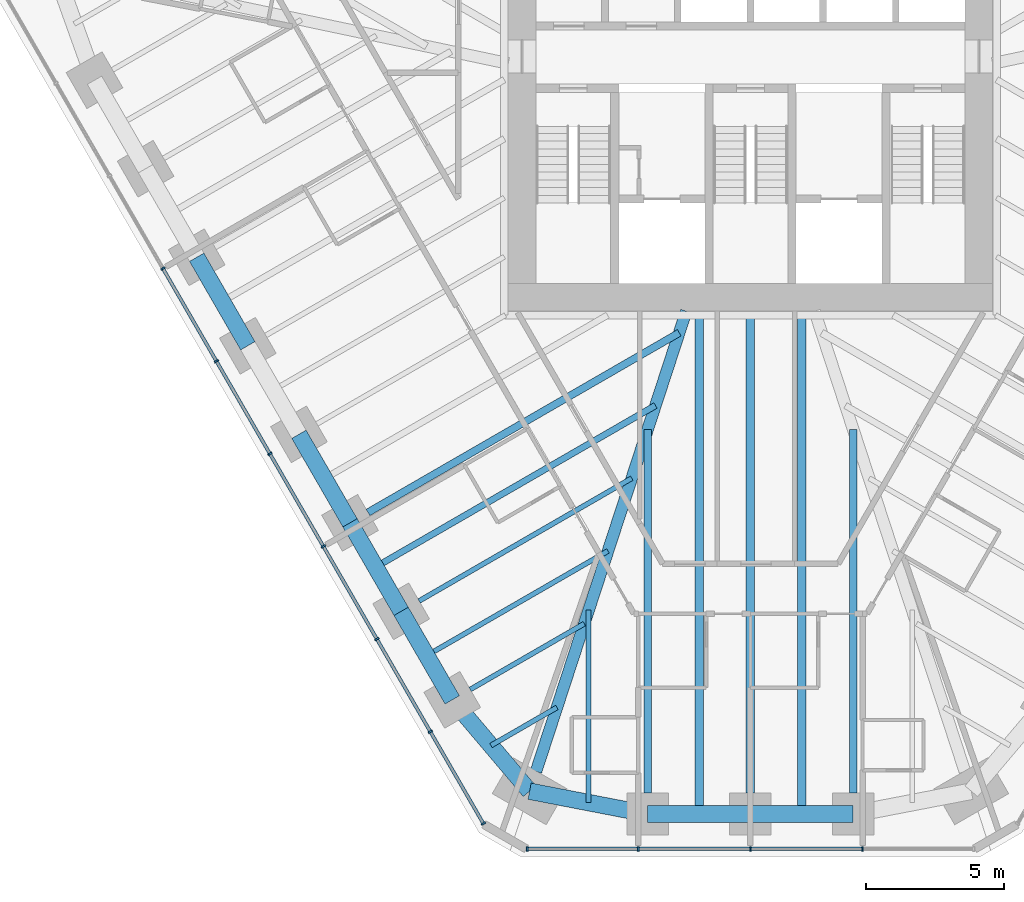
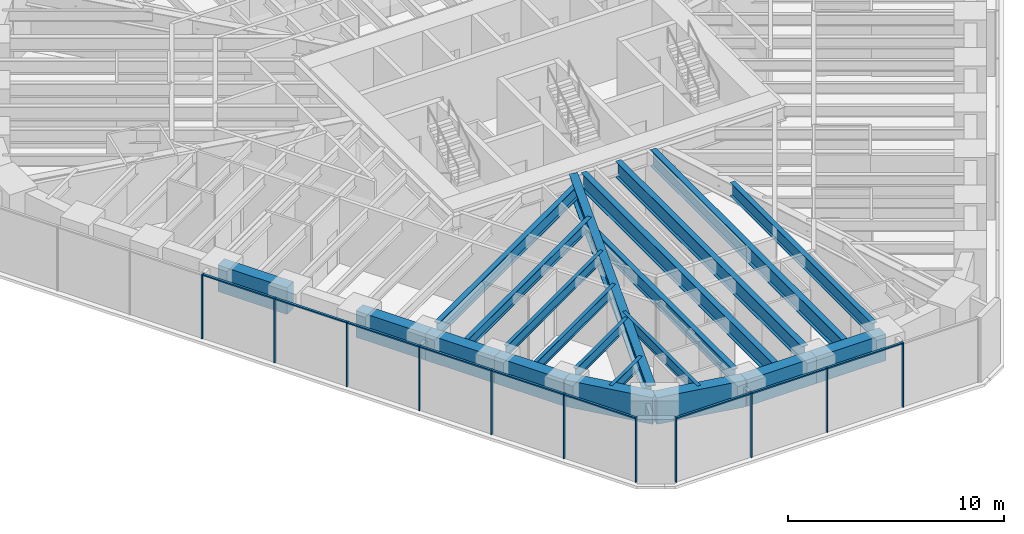
# One storey, part 2 of 17: 21 beams, 20 members, 2 elements without a shape of their own.
"""IFC4 building model written with IfcOpenShell, lengths in metres."""

from ifc_helpers import new_model, si_unit, direction, frame, origin, origin_2d, place, context, subcontext, project, spatial, rectangle, i_section, extrude, material, material_profile, profile_set, type_object, element, aggregate, save


model = new_model("IFC4")

# Units and contexts
model_context = context("Model", 3, precision=1e-05, world=origin(), true_north=direction((0.0, 1.0)))
body_context = subcontext(model_context, "Body", "Model", "MODEL_VIEW")
ifc_project = project(units=[si_unit("LENGTHUNIT", "METRE"), si_unit("AREAUNIT", "SQUARE_METRE"), si_unit("VOLUMEUNIT", "CUBIC_METRE"), si_unit("PLANEANGLEUNIT", "RADIAN"), si_unit("MASSUNIT", "GRAM", prefix="KILO")], contexts=[model_context])

# Site, building, storey
site_placement = place(None, origin())
site = spatial("IfcSite", under=ifc_project, at=site_placement, CompositionType="ELEMENT")
building_placement = place(site_placement, origin())
building = spatial("IfcBuilding", under=site, at=building_placement, Name="Sandreach Pilgrim Tower", CompositionType="ELEMENT")
storey_placement = place(building_placement, frame((0.0, 0.0, 217.39990234375)))
storey = spatial("IfcBuildingStorey", under=building, at=storey_placement, Name="L54", CompositionType="ELEMENT", Elevation=217.39990234375)

# Curtain wall, members
ifc_material_1 = material(Name="Aluminium framed curtain wall", Category="aluminium")
curtain_wall_type = type_object("IfcCurtainWallType", Name="Upper hotel tower curtain wall", PredefinedType="NOTDEFINED", material=ifc_material_1)
curtain_wall_1_placement = place(storey_placement, origin())
curtain_wall_1 = element("IfcCurtainWall", 1, at=curtain_wall_1_placement, inside=storey, type_object=curtain_wall_type, Name="CW-3 L54 S", PredefinedType="NOTDEFINED")
ifc_material_2 = material(Name="Aluminium extrusion", Category="aluminium")
ifc_material_profile_1 = material_profile(ifc_material_2, rectangle(XDim=0.06494140625, YDim=0.159912109375, at=origin_2d()), Name="CW-3M 65X160")
ifc_profile_set_1 = profile_set([ifc_material_profile_1], Name="Aluminium extrusion")
member_type_1 = type_object("IfcMemberType", Name="CW-3 mullion", PredefinedType="MULLION", material=ifc_profile_set_1)
member_1_placement = place(storey_placement, frame((4.048583984375, -26.525146484375, 0.0), z_axis=(0.0, 0.0, 1.0), x_axis=(-1.0, 0.0, 0.0)))
member_1 = element("IfcMember", 2, at=member_1_placement, type_object=member_type_1, Name="CW-3 mullion 2", PredefinedType="MULLION", context=body_context, shape_type="SweptSolid", body=[
    extrude(rectangle(XDim=0.06494140625, YDim=0.159912109375, at=origin_2d()), origin(), (0.0, 0.0, 1.0), 3.64013671875),
])
member_2_placement = place(storey_placement, frame((0.0, -26.525146484375, 0.0), z_axis=(0.0, 0.0, 1.0), x_axis=(-1.0, 0.0, 0.0)))
member_2 = element("IfcMember", 3, at=member_2_placement, type_object=member_type_1, Name="CW-3 mullion 3", PredefinedType="MULLION", context=body_context, shape_type="SweptSolid", body=[
    extrude(rectangle(XDim=0.06494140625, YDim=0.159912109375, at=origin_2d()), origin(), (0.0, 0.0, 1.0), 3.64013671875),
])
member_3_placement = place(storey_placement, frame((-4.048583984375, -26.525146484375, 0.0), z_axis=(0.0, 0.0, 1.0), x_axis=(-1.0, 0.0, 0.0)))
member_3 = element("IfcMember", 4, at=member_3_placement, type_object=member_type_1, Name="CW-3 mullion 4", PredefinedType="MULLION", context=body_context, shape_type="SweptSolid", body=[
    extrude(rectangle(XDim=0.06494140625, YDim=0.159912109375, at=origin_2d()), origin(), (0.0, 0.0, 1.0), 3.64013671875),
])
member_4_placement = place(storey_placement, frame((-8.06494140625, -26.525146484375, 0.0), z_axis=(0.0, 0.0, 1.0), x_axis=(-1.0, 0.0, 0.0)))
member_4 = element("IfcMember", 5, at=member_4_placement, type_object=member_type_1, Name="CW-3 mullion 5", PredefinedType="MULLION", context=body_context, shape_type="SweptSolid", body=[
    extrude(rectangle(XDim=0.06494140625, YDim=0.159912109375, at=origin_2d()), origin(), (0.0, 0.0, 1.0), 3.64013671875),
])

curtain_wall_2_placement = place(storey_placement, origin())
curtain_wall_2 = element("IfcCurtainWall", 6, at=curtain_wall_2_placement, inside=storey, type_object=curtain_wall_type, Name="CW-3 L54 SW", PredefinedType="NOTDEFINED")
member_5_placement = place(storey_placement, frame((-9.646484375, -25.612060546875, 0.0), z_axis=(0.0, 0.0, 1.0), x_axis=(-0.5, 0.866025403784, 0.0)))
member_5 = element("IfcMember", 7, at=member_5_placement, type_object=member_type_1, Name="CW-3 mullion 1", PredefinedType="MULLION", context=body_context, shape_type="SweptSolid", body=[
    extrude(rectangle(XDim=0.06494140625, YDim=0.159912109375, at=origin_2d()), origin(), (0.0, 0.0, 1.0), 3.64013671875),
])
member_6_placement = place(storey_placement, frame((-11.5625, -22.29345703125, 0.0), z_axis=(0.0, 0.0, 1.0), x_axis=(-0.5, 0.866025403784, 0.0)))
member_6 = element("IfcMember", 8, at=member_6_placement, type_object=member_type_1, Name="CW-3 mullion 2", PredefinedType="MULLION", context=body_context, shape_type="SweptSolid", body=[
    extrude(rectangle(XDim=0.06494140625, YDim=0.159912109375, at=origin_2d()), origin(), (0.0, 0.0, 1.0), 3.64013671875),
])
member_7_placement = place(storey_placement, frame((-13.49462890625, -18.94677734375, 0.0), z_axis=(0.0, 0.0, 1.0), x_axis=(-0.5, 0.866025403784, 0.0)))
member_7 = element("IfcMember", 9, at=member_7_placement, type_object=member_type_1, Name="CW-3 mullion 3", PredefinedType="MULLION", context=body_context, shape_type="SweptSolid", body=[
    extrude(rectangle(XDim=0.06494140625, YDim=0.159912109375, at=origin_2d()), origin(), (0.0, 0.0, 1.0), 3.64013671875),
])
member_8_placement = place(storey_placement, frame((-15.4267578125, -15.60009765625, 0.0), z_axis=(0.0, 0.0, 1.0), x_axis=(-0.5, 0.866025403784, 0.0)))
member_8 = element("IfcMember", 10, at=member_8_placement, type_object=member_type_1, Name="CW-3 mullion 4", PredefinedType="MULLION", context=body_context, shape_type="SweptSolid", body=[
    extrude(rectangle(XDim=0.06494140625, YDim=0.159912109375, at=origin_2d()), origin(), (0.0, 0.0, 1.0), 3.64013671875),
])
member_9_placement = place(storey_placement, frame((-17.359130859375, -12.25341796875, 0.0), z_axis=(0.0, 0.0, 1.0), x_axis=(-0.5, 0.866025403784, 0.0)))
member_9 = element("IfcMember", 11, at=member_9_placement, type_object=member_type_1, Name="CW-3 mullion 5", PredefinedType="MULLION", context=body_context, shape_type="SweptSolid", body=[
    extrude(rectangle(XDim=0.06494140625, YDim=0.159912109375, at=origin_2d()), origin(), (0.0, 0.0, 1.0), 3.64013671875),
])
member_10_placement = place(storey_placement, frame((-19.291259765625, -8.90673828125, 0.0), z_axis=(0.0, 0.0, 1.0), x_axis=(-0.5, 0.866025403784, 0.0)))
member_10 = element("IfcMember", 12, at=member_10_placement, type_object=member_type_1, Name="CW-3 mullion 6", PredefinedType="MULLION", context=body_context, shape_type="SweptSolid", body=[
    extrude(rectangle(XDim=0.06494140625, YDim=0.159912109375, at=origin_2d()), origin(), (0.0, 0.0, 1.0), 3.64013671875),
])
member_11_placement = place(storey_placement, frame((-21.223388671875, -5.56005859375, 0.0), z_axis=(0.0, 0.0, 1.0), x_axis=(-0.5, 0.866025403784, 0.0)))
member_11 = element("IfcMember", 13, at=member_11_placement, type_object=member_type_1, Name="CW-3 mullion 7", PredefinedType="MULLION", context=body_context, shape_type="SweptSolid", body=[
    extrude(rectangle(XDim=0.06494140625, YDim=0.159912109375, at=origin_2d()), origin(), (0.0, 0.0, 1.0), 3.64013671875),
])

# Member
ifc_material_3 = material(Name="Aluminium extrusion", Category="aluminium")
ifc_material_profile_2 = material_profile(ifc_material_3, rectangle(XDim=0.1201171875, YDim=0.070068359375, at=origin_2d()), Name="CW-3T 120X70")
ifc_profile_set_2 = profile_set([ifc_material_profile_2], Name="Aluminium extrusion")
member_type_2 = type_object("IfcMemberType", Name="CW-3 transom", PredefinedType="USERDEFINED", material=ifc_profile_set_2)
member_12_placement = place(storey_placement, frame((4.01611328125, -26.525146484375, 3.60498046875), z_axis=(-1.0, 0.0, 0.0), x_axis=(0.0, -1.0, 0.0)))
member_12 = element("IfcMember", 14, at=member_12_placement, type_object=member_type_2, Name="CW-3 head transom 2", ObjectType="TRANSOM", PredefinedType="USERDEFINED", context=body_context, shape_type="SweptSolid", body=[
    extrude(rectangle(XDim=0.1201171875, YDim=0.070068359375, at=origin_2d()), origin(), (0.0, 0.0, 1.0), 3.983642578125),
])

member_13_placement = place(storey_placement, frame((-0.032470703125, -26.525146484375, 3.60498046875), z_axis=(-1.0, 0.0, 0.0), x_axis=(0.0, -1.0, 0.0)))
member_13 = element("IfcMember", 15, at=member_13_placement, type_object=member_type_2, Name="CW-3 head transom 3", ObjectType="TRANSOM", PredefinedType="USERDEFINED", context=body_context, shape_type="SweptSolid", body=[
    extrude(rectangle(XDim=0.1201171875, YDim=0.070068359375, at=origin_2d()), origin(), (0.0, 0.0, 1.0), 3.983642578125),
])

member_14_placement = place(storey_placement, frame((-4.081298828125, -26.525146484375, 3.60498046875), z_axis=(-1.0, 0.0, 0.0), x_axis=(0.0, -1.0, 0.0)))
member_14 = element("IfcMember", 16, at=member_14_placement, type_object=member_type_2, Name="CW-3 head transom 4", ObjectType="TRANSOM", PredefinedType="USERDEFINED", context=body_context, shape_type="SweptSolid", body=[
    extrude(rectangle(XDim=0.1201171875, YDim=0.070068359375, at=origin_2d()), origin(), (0.0, 0.0, 1.0), 3.951171875),
])

aggregate(curtain_wall_1, [member_1, member_2, member_3, member_4, member_12, member_13, member_14])

member_15_placement = place(storey_placement, frame((-9.662841796875, -25.583740234375, 3.60498046875), z_axis=(-0.499973055223, 0.8660409598, 0.0), x_axis=(-0.8660409598, -0.499973055223, 0.0)))
member_15 = element("IfcMember", 17, at=member_15_placement, type_object=member_type_2, Name="CW-3 head transom 1", ObjectType="TRANSOM", PredefinedType="USERDEFINED", context=body_context, shape_type="SweptSolid", body=[
    extrude(rectangle(XDim=0.1201171875, YDim=0.070068359375, at=origin_2d()), origin(), (0.0, 0.0, 1.0), 3.766845703125),
])

member_16_placement = place(storey_placement, frame((-11.57861328125, -22.265380859375, 3.60498046875), z_axis=(-0.500022797313, 0.86601224135, 0.0), x_axis=(-0.86601224135, -0.500022797313, 0.0)))
member_16 = element("IfcMember", 18, at=member_16_placement, type_object=member_type_2, Name="CW-3 head transom 2", ObjectType="TRANSOM", PredefinedType="USERDEFINED", context=body_context, shape_type="SweptSolid", body=[
    extrude(rectangle(XDim=0.1201171875, YDim=0.070068359375, at=origin_2d()), origin(), (0.0, 0.0, 1.0), 3.799560546875),
])

member_17_placement = place(storey_placement, frame((-13.510986328125, -18.918701171875, 3.60498046875), z_axis=(-0.499974606132, 0.866040064445, 0.0), x_axis=(-0.866040064445, -0.499974606132, 0.0)))
member_17 = element("IfcMember", 19, at=member_17_placement, type_object=member_type_2, Name="CW-3 head transom 3", ObjectType="TRANSOM", PredefinedType="USERDEFINED", context=body_context, shape_type="SweptSolid", body=[
    extrude(rectangle(XDim=0.1201171875, YDim=0.070068359375, at=origin_2d()), origin(), (0.0, 0.0, 1.0), 3.799560546875),
])

member_18_placement = place(storey_placement, frame((-15.443115234375, -15.572021484375, 3.60498046875), z_axis=(-0.499974606132, 0.866040064445, 0.0), x_axis=(-0.866040064445, -0.499974606132, 0.0)))
member_18 = element("IfcMember", 20, at=member_18_placement, type_object=member_type_2, Name="CW-3 head transom 4", ObjectType="TRANSOM", PredefinedType="USERDEFINED", context=body_context, shape_type="SweptSolid", body=[
    extrude(rectangle(XDim=0.1201171875, YDim=0.070068359375, at=origin_2d()), origin(), (0.0, 0.0, 1.0), 3.799560546875),
])

member_19_placement = place(storey_placement, frame((-17.375244140625, -12.225341796875, 3.60498046875), z_axis=(-0.500022797313, 0.86601224135, 0.0), x_axis=(-0.86601224135, -0.500022797313, 0.0)))
member_19 = element("IfcMember", 21, at=member_19_placement, type_object=member_type_2, Name="CW-3 head transom 5", ObjectType="TRANSOM", PredefinedType="USERDEFINED", context=body_context, shape_type="SweptSolid", body=[
    extrude(rectangle(XDim=0.1201171875, YDim=0.070068359375, at=origin_2d()), origin(), (0.0, 0.0, 1.0), 3.799560546875),
])

member_20_placement = place(storey_placement, frame((-19.3076171875, -8.878662109375, 3.60498046875), z_axis=(-0.499974606132, 0.866040064445, 0.0), x_axis=(-0.866040064445, -0.499974606132, 0.0)))
member_20 = element("IfcMember", 22, at=member_20_placement, type_object=member_type_2, Name="CW-3 head transom 6", ObjectType="TRANSOM", PredefinedType="USERDEFINED", context=body_context, shape_type="SweptSolid", body=[
    extrude(rectangle(XDim=0.1201171875, YDim=0.070068359375, at=origin_2d()), origin(), (0.0, 0.0, 1.0), 3.799560546875),
])

aggregate(curtain_wall_2, [member_5, member_6, member_7, member_8, member_9, member_10, member_11, member_15, member_16, member_17, member_18, member_19, member_20])

# Beams
ifc_material_4 = material(Name="Steel ASTM A992 Grade 50", Category="steel")
ifc_material_profile_3 = material_profile(ifc_material_4, i_section(OverallWidth=0.421630859375, OverallDepth=0.95751953125, WebThickness=0.02587890625, FlangeThickness=0.046875, at=origin_2d()), Name="W36X330")
ifc_profile_set_3 = profile_set([ifc_material_profile_3], Name="Steel ASTM A992 Grade 50")
beam_type_1 = type_object("IfcBeamType", Name="Corner girder W36X330", PredefinedType="BEAM", material=ifc_profile_set_3)
beam_1_placement = place(storey_placement, frame((-7.745849609375, -23.72900390625, 3.161376953125), z_axis=(0.310317870968, 0.950632851819, 0.0), x_axis=(-0.950632851819, 0.310317870968, 0.0)))
element("IfcBeam", 23, at=beam_1_placement, inside=storey, type_object=beam_type_1, Name="BM L54 CG26", PredefinedType="BEAM", context=body_context, shape_type="SweptSolid", body=[
    extrude(i_section(OverallWidth=0.421630859375, OverallDepth=0.95751953125, WebThickness=0.02587890625, FlangeThickness=0.046875, at=origin_2d()), origin(), (0.0, 0.0, 1.0), 17.492431640625),
])
ifc_material_5 = material(Name="Steel ASTM A992 Grade 50", Category="steel")
ifc_material_profile_4 = material_profile(ifc_material_5, i_section(OverallWidth=0.1787109375, OverallDepth=0.60205078125, WebThickness=0.010986328125, FlangeThickness=0.014892578125, at=origin_2d()), Name="W24X62")
ifc_profile_set_4 = profile_set([ifc_material_profile_4], Name="Steel ASTM A992 Grade 50")
beam_type_2 = type_object("IfcBeamType", Name="Floor beam W24X62", PredefinedType="BEAM", material=ifc_profile_set_4)
beam_2_placement = place(storey_placement, frame((-10.12255859375, -20.767333984375, 3.339111328125), z_axis=(0.86603347311, 0.499986023258, 0.0), x_axis=(-0.499986023258, 0.86603347311, 0.0)))
element("IfcBeam", 24, at=beam_2_placement, inside=storey, type_object=beam_type_2, Name="BM L54 F27", PredefinedType="BEAM", context=body_context, shape_type="SweptSolid", body=[
    extrude(i_section(OverallWidth=0.1787109375, OverallDepth=0.60205078125, WebThickness=0.010986328125, FlangeThickness=0.014892578125, at=origin_2d()), origin(), (0.0, 0.0, 1.0), 4.757568359375),
])
beam_3_placement = place(storey_placement, frame((-11.96875, -17.569580078125, 3.339111328125), z_axis=(0.866020566617, 0.500008378126, 0.0), x_axis=(-0.500008378126, 0.866020566617, 0.0)))
element("IfcBeam", 25, at=beam_3_placement, inside=storey, type_object=beam_type_2, Name="BM L54 F28", PredefinedType="BEAM", context=body_context, shape_type="SweptSolid", body=[
    extrude(i_section(OverallWidth=0.1787109375, OverallDepth=0.60205078125, WebThickness=0.010986328125, FlangeThickness=0.014892578125, at=origin_2d()), origin(), (0.0, 0.0, 1.0), 8.869384765625),
])
beam_4_placement = place(storey_placement, frame((-5.844482421875, -24.853515625, 3.339111328125), z_axis=(0.0, 1.0, 0.0), x_axis=(-1.0, 0.0, 0.0)))
element("IfcBeam", 26, at=beam_4_placement, inside=storey, type_object=beam_type_2, Name="BM L54 FM25", PredefinedType="BEAM", context=body_context, shape_type="SweptSolid", body=[
    extrude(i_section(OverallWidth=0.1787109375, OverallDepth=0.60205078125, WebThickness=0.010986328125, FlangeThickness=0.014892578125, at=origin_2d()), origin(), (0.0, 0.0, 1.0), 6.94921875),
])
beam_5_placement = place(storey_placement, frame((-9.375244140625, -22.7919921875, 3.339111328125), z_axis=(0.866046803606, 0.49996293259, 0.0), x_axis=(-0.49996293259, 0.866046803606, 0.0)))
element("IfcBeam", 27, at=beam_5_placement, inside=storey, type_object=beam_type_2, Name="BM L54 FM26", PredefinedType="BEAM", context=body_context, shape_type="SweptSolid", body=[
    extrude(i_section(OverallWidth=0.1787109375, OverallDepth=0.60205078125, WebThickness=0.010986328125, FlangeThickness=0.014892578125, at=origin_2d()), origin(), (0.0, 0.0, 1.0), 2.753662109375),
])
beam_6_placement = place(storey_placement, frame((-11.6953125, -19.54345703125, 3.339111328125), z_axis=(0.866029704776, 0.49999255039, 0.0), x_axis=(-0.49999255039, 0.866029704776, 0.0)))
element("IfcBeam", 28, at=beam_6_placement, inside=storey, type_object=beam_type_2, Name="BM L54 FM27", PredefinedType="BEAM", context=body_context, shape_type="SweptSolid", body=[
    extrude(i_section(OverallWidth=0.1787109375, OverallDepth=0.60205078125, WebThickness=0.010986328125, FlangeThickness=0.014892578125, at=origin_2d()), origin(), (0.0, 0.0, 1.0), 7.5634765625),
])
ifc_material_6 = material(Name="Steel ASTM A992 Grade 50", Category="steel")
ifc_material_profile_5 = material_profile(ifc_material_6, i_section(OverallWidth=0.23046875, OverallDepth=0.6171875, WebThickness=0.01318359375, FlangeThickness=0.022216796875, at=origin_2d()), Name="W24X94")
ifc_profile_set_5 = profile_set([ifc_material_profile_5], Name="Steel ASTM A992 Grade 50")
beam_type_3 = type_object("IfcBeamType", Name="Floor beam W24X94", PredefinedType="BEAM", material=ifc_profile_set_5)
beam_7_placement = place(storey_placement, frame((-13.54150390625, -16.345703125, 3.33154296875), z_axis=(0.866026454974, 0.499998179282, 0.0), x_axis=(-0.499998179282, 0.866026454974, 0.0)))
element("IfcBeam", 29, at=beam_7_placement, inside=storey, type_object=beam_type_3, Name="BM L54 FM28", PredefinedType="BEAM", context=body_context, shape_type="SweptSolid", body=[
    extrude(i_section(OverallWidth=0.23046875, OverallDepth=0.6171875, WebThickness=0.01318359375, FlangeThickness=0.022216796875, at=origin_2d()), origin(), (0.0, 0.0, 1.0), 11.67578125),
])
ifc_material_7 = material(Name="Steel ASTM A992 Grade 50", Category="steel")
ifc_material_profile_6 = material_profile(ifc_material_7, i_section(OverallWidth=0.2666015625, OverallDepth=0.761962890625, WebThickness=0.014404296875, FlangeThickness=0.021484375, at=origin_2d()), Name="W30X116")
ifc_profile_set_6 = profile_set([ifc_material_profile_6], Name="Steel ASTM A992 Grade 50")
beam_type_4 = type_object("IfcBeamType", Name="Floor beam W30X116", PredefinedType="BEAM", material=ifc_profile_set_6)
for number, where, z_axis, x_axis, name in (
    (30, (3.71044921875, -24.51513671875, 3.259033203125), (0.0, 1.0, 0.0), (-1.0, 0.0, 0.0), "BM L54 F23"),
    (31, (-3.71044921875, -24.51513671875, 3.259033203125), (0.0, 1.0, 0.0), (-1.0, 0.0, 0.0), "BM L54 F25"),
):
    element("IfcBeam", number, at=place(storey_placement, frame(where, z_axis=z_axis, x_axis=x_axis)), inside=storey, type_object=beam_type_4, Name=name, PredefinedType="BEAM", context=body_context, shape_type="SweptSolid", body=[
        extrude(i_section(OverallWidth=0.2666015625, OverallDepth=0.761962890625, WebThickness=0.014404296875, FlangeThickness=0.021484375, at=origin_2d()), origin(), (0.0, 0.0, 1.0), 13.1484375),
    ])
beam_8_placement = place(storey_placement, frame((-13.815185546875, -14.371826171875, 3.259033203125), z_axis=(0.866025240073, 0.500000283557, 0.0), x_axis=(-0.500000283557, 0.866025240073, 0.0)))
element("IfcBeam", 32, at=beam_8_placement, inside=storey, type_object=beam_type_4, Name="BM L54 F29", PredefinedType="BEAM", context=body_context, shape_type="SweptSolid", body=[
    extrude(i_section(OverallWidth=0.2666015625, OverallDepth=0.761962890625, WebThickness=0.014404296875, FlangeThickness=0.021484375, at=origin_2d()), origin(), (0.0, 0.0, 1.0), 12.98193359375),
])
ifc_material_8 = material(Name="Steel ASTM A992 Grade 50", Category="steel")
ifc_material_profile_7 = material_profile(ifc_material_8, i_section(OverallWidth=0.3046875, OverallDepth=0.914306640625, WebThickness=0.0166015625, FlangeThickness=0.02587890625, at=origin_2d()), Name="W36X160")
ifc_profile_set_7 = profile_set([ifc_material_profile_7], Name="Steel ASTM A992 Grade 50")
beam_type_5 = type_object("IfcBeamType", Name="Floor beam W36X160", PredefinedType="BEAM", material=ifc_profile_set_7)
beam_9_placement = place(storey_placement, frame((0.0, -24.51513671875, 3.182861328125), z_axis=(0.0, 1.0, 0.0), x_axis=(-1.0, 0.0, 0.0)))
element("IfcBeam", 33, at=beam_9_placement, inside=storey, type_object=beam_type_5, Name="BM L54 F24", PredefinedType="BEAM", context=body_context, shape_type="SweptSolid", body=[
    extrude(i_section(OverallWidth=0.3046875, OverallDepth=0.914306640625, WebThickness=0.0166015625, FlangeThickness=0.02587890625, at=origin_2d()), origin(), (0.0, 0.0, 1.0), 17.271728515625),
])
for number, where, z_axis, x_axis, name in (
    (34, (1.855224609375, -25.26513671875, 3.182861328125), (0.0, 1.0, 0.0), (-1.0, 0.0, 0.0), "BM L54 FM23"),
    (35, (-1.855224609375, -25.26513671875, 3.182861328125), (0.0, 1.0, 0.0), (-1.0, 0.0, 0.0), "BM L54 FM24"),
):
    element("IfcBeam", number, at=place(storey_placement, frame(where, z_axis=z_axis, x_axis=x_axis)), inside=storey, type_object=beam_type_5, Name=name, PredefinedType="BEAM", context=body_context, shape_type="SweptSolid", body=[
        extrude(i_section(OverallWidth=0.3046875, OverallDepth=0.914306640625, WebThickness=0.0166015625, FlangeThickness=0.02587890625, at=origin_2d()), origin(), (0.0, 0.0, 1.0), 18.021728515625),
    ])
ifc_material_9 = material(Name="Concrete 10000 psi", Category="concrete")
ifc_material_profile_8 = material_profile(ifc_material_9, rectangle(XDim=0.60009765625, YDim=1.5, at=origin_2d()), Name="RC600X1500")
ifc_profile_set_8 = profile_set([ifc_material_profile_8], Name="Concrete 10000 psi")
beam_type_6 = type_object("IfcBeamType", Name="Spandrel beam RC600X1500", PredefinedType="SPANDREL", material=ifc_profile_set_8)
for number, where, z_axis, x_axis, name in (
    (36, (3.71044921875, -25.26513671875, 2.89013671875), (-1.0, 0.0, 0.0), (0.0, -1.0, 0.0), "BM L54 SP23"),
    (37, (0.0, -25.26513671875, 2.89013671875), (-1.0, 0.0, 0.0), (0.0, -1.0, 0.0), "BM L54 SP24"),
):
    element("IfcBeam", number, at=place(storey_placement, frame(where, z_axis=z_axis, x_axis=x_axis)), inside=storey, type_object=beam_type_6, Name=name, PredefinedType="SPANDREL", context=body_context, shape_type="SweptSolid", body=[
        extrude(rectangle(XDim=0.60009765625, YDim=1.5, at=origin_2d()), origin(), (0.0, 0.0, 1.0), 3.71044921875),
    ])
beam_10_placement = place(storey_placement, frame((-3.71044921875, -25.26513671875, 2.89013671875), z_axis=(-0.981901333807, 0.18939316426, 0.0), x_axis=(-0.18939316426, -0.981901333807, 0.0)))
element("IfcBeam", 38, at=beam_10_placement, inside=storey, type_object=beam_type_6, Name="BM L54 SP25", PredefinedType="SPANDREL", context=body_context, shape_type="SweptSolid", body=[
    extrude(rectangle(XDim=0.60009765625, YDim=1.5, at=origin_2d()), origin(), (0.0, 0.0, 1.0), 4.3466796875),
])
beam_11_placement = place(storey_placement, frame((-7.978515625, -24.44189453125, 2.89013671875), z_axis=(-0.646180160755, 0.76318490541, 0.0), x_axis=(-0.76318490541, -0.646180160755, 0.0)))
element("IfcBeam", 39, at=beam_11_placement, inside=storey, type_object=beam_type_6, Name="BM L54 SP26", PredefinedType="SPANDREL", context=body_context, shape_type="SweptSolid", body=[
    extrude(rectangle(XDim=0.60009765625, YDim=1.5, at=origin_2d()), origin(), (0.0, 0.0, 1.0), 4.323486328125),
])
for number, where, z_axis, x_axis, name in (
    (40, (-10.772216796875, -21.142333984375, 2.89013671875), (-0.499993363642, 0.866029235253, 0.0), (-0.866029235253, -0.499993363642, 0.0), "BM L54 SP27"),
    (41, (-12.618408203125, -17.944580078125, 2.89013671875), (-0.499993363642, 0.866029235253, 0.0), (-0.866029235253, -0.499993363642, 0.0), "BM L54 SP28"),
):
    element("IfcBeam", number, at=place(storey_placement, frame(where, z_axis=z_axis, x_axis=x_axis)), inside=storey, type_object=beam_type_6, Name=name, PredefinedType="SPANDREL", context=body_context, shape_type="SweptSolid", body=[
        extrude(rectangle(XDim=0.60009765625, YDim=1.5, at=origin_2d()), origin(), (0.0, 0.0, 1.0), 3.6923828125),
    ])
beam_12_placement = place(storey_placement, frame((-14.464599609375, -14.746826171875, 2.89013671875), z_axis=(-0.49996473481, 0.866045763194, 0.0), x_axis=(-0.866045763194, -0.49996473481, 0.0)))
element("IfcBeam", 42, at=beam_12_placement, inside=storey, type_object=beam_type_6, Name="BM L54 SP29", PredefinedType="SPANDREL", context=body_context, shape_type="SweptSolid", body=[
    extrude(rectangle(XDim=0.60009765625, YDim=1.5, at=origin_2d()), origin(), (0.0, 0.0, 1.0), 3.692626953125),
])
beam_13_placement = place(storey_placement, frame((-18.1572265625, -8.35107421875, 2.89013671875), z_axis=(-0.499993363642, 0.866029235253, 0.0), x_axis=(-0.866029235253, -0.499993363642, 0.0)))
element("IfcBeam", 43, at=beam_13_placement, inside=storey, type_object=beam_type_6, Name="BM L54 SP31", PredefinedType="SPANDREL", context=body_context, shape_type="SweptSolid", body=[
    extrude(rectangle(XDim=0.60009765625, YDim=1.5, at=origin_2d()), origin(), (0.0, 0.0, 1.0), 3.6923828125),
])

save(model, "model.ifc")
